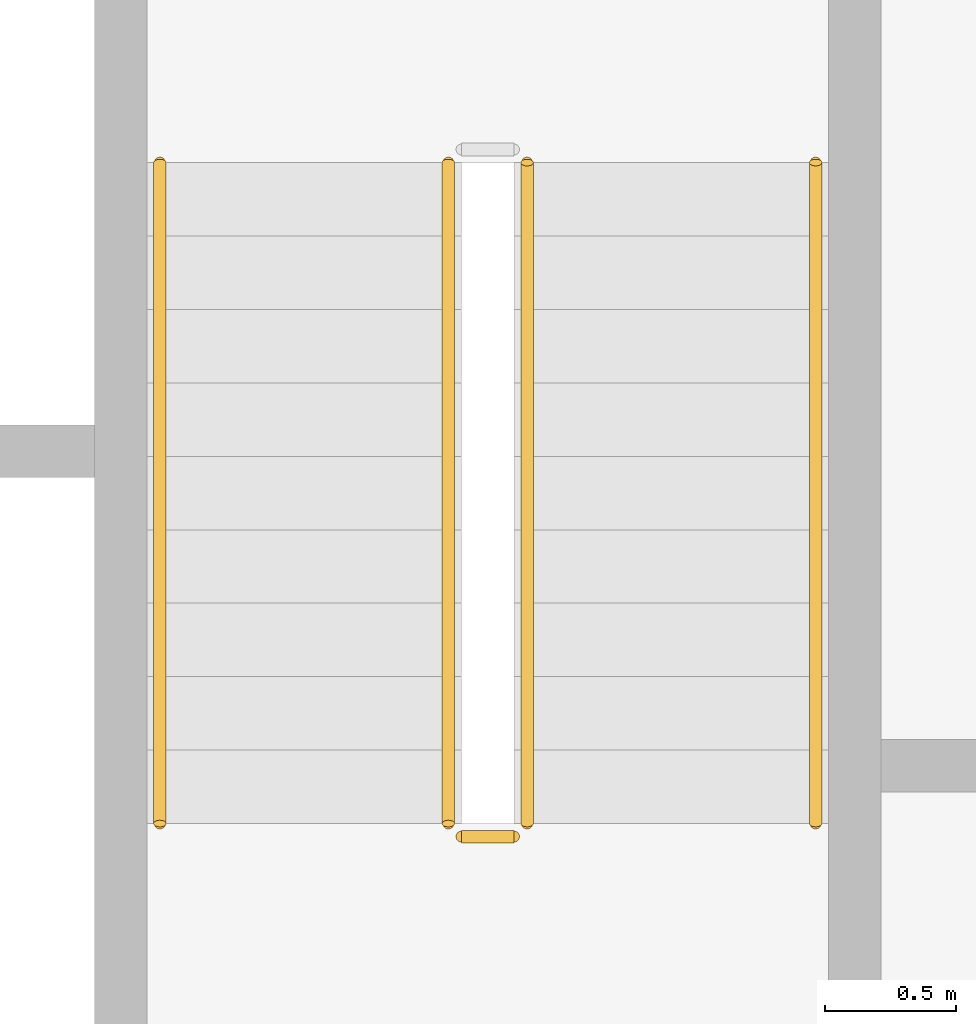
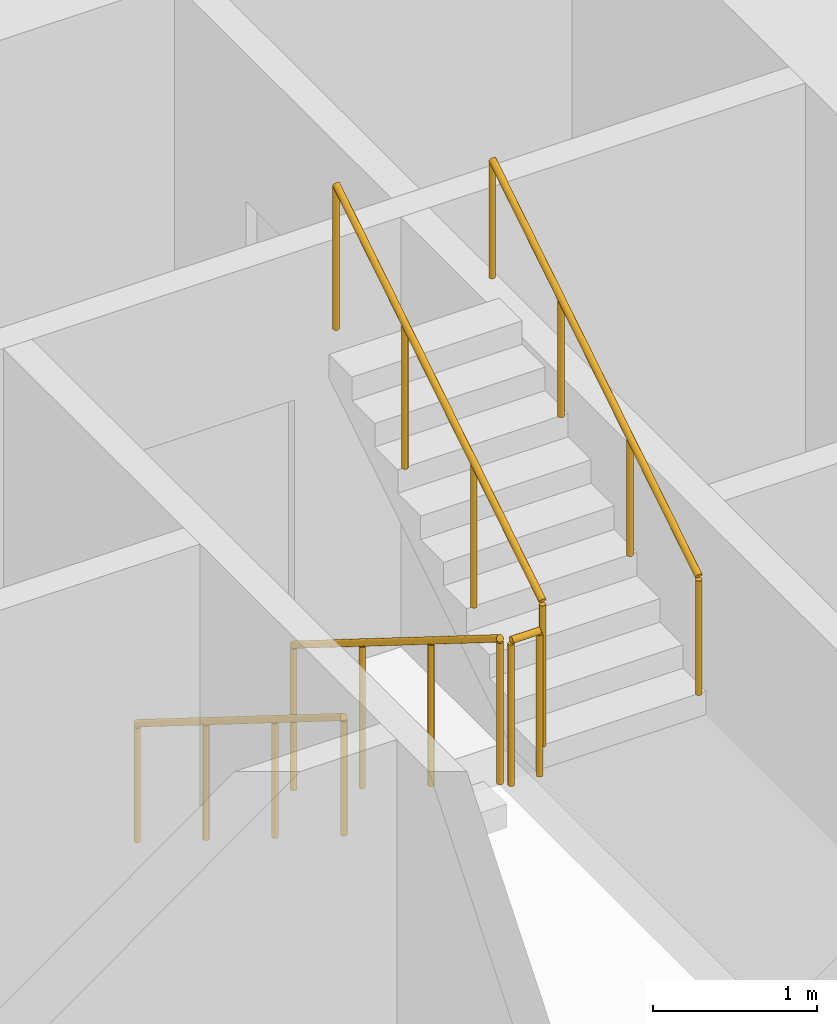
# One storey, part 19 of 22: 5 railings.
"""IFC4 building model written with IfcOpenShell, lengths in metres."""

from ifc_helpers import new_model, si_unit, direction, frame, origin, origin_2d, place, context, subcontext, project, spatial, circle, extrude, material, type_object, element, save


model = new_model("IFC4")

# Units and contexts
model_context = context("Model", 3, precision=1e-05, world=origin(), true_north=direction((0.0, 1.0)))
body_context = subcontext(model_context, "Body", "Model", "MODEL_VIEW")
ifc_project = project(units=[si_unit("LENGTHUNIT", "METRE"), si_unit("AREAUNIT", "SQUARE_METRE"), si_unit("VOLUMEUNIT", "CUBIC_METRE"), si_unit("PLANEANGLEUNIT", "RADIAN"), si_unit("MASSUNIT", "GRAM", prefix="KILO")], contexts=[model_context])

# Site, building, storey
site_placement = place(None, origin())
site = spatial("IfcSite", under=ifc_project, at=site_placement, CompositionType="ELEMENT")
building_placement = place(site_placement, origin())
building = spatial("IfcBuilding", under=site, at=building_placement, Name="Kiln Ring Residences", CompositionType="ELEMENT")
storey_placement = place(building_placement, frame((0.0, 0.0, 164.10009765625)))
storey = spatial("IfcBuildingStorey", under=building, at=storey_placement, Name="L42", CompositionType="ELEMENT", Elevation=164.10009765625)

# Railings
ifc_material_1 = material(Name="Stainless steel", Category="steel")
railing_type_1 = type_object("IfcRailingType", Name="CORE-STAIR-GUARD", PredefinedType="GUARDRAIL", material=ifc_material_1)
railing_1_placement = place(storey_placement, frame((21.949951171875, 8.39990234375, 0.1748046875)))
element("IfcRailing", 1, at=railing_1_placement, inside=storey, type_object=railing_type_1, Name="L42 E-STN stair guard 1", PredefinedType="GUARDRAIL", context=body_context, shape_type="SweptSolid", body=[
    extrude(circle(Radius=0.02392578125, at=origin_2d()), frame((0.0, 0.0, 1.076171875), z_axis=(0.0, -0.847970611238, 0.530043245855), x_axis=(1.0, 0.0, 0.0)), (0.0, 0.0, 1.0), 2.971923828125),
    extrude(circle(Radius=0.02099609375, at=origin_2d()), origin(), (0.0, 0.0, 1.0), 1.052001953125),
    extrude(circle(Radius=0.02099609375, at=origin_2d()), frame((0.0, -0.840087890625, 0.525146484375)), (0.0, 0.0, 1.0), 1.052001953125),
    extrude(circle(Radius=0.02099609375, at=origin_2d()), frame((0.0, -1.679931640625, 1.050048828125)), (0.0, 0.0, 1.0), 1.052001953125),
    extrude(circle(Radius=0.02099609375, at=origin_2d()), frame((0.0, -2.52001953125, 1.5751953125)), (0.0, 0.0, 1.0), 1.052001953125),
])
railing_2_placement = place(storey_placement, frame((22.0, 5.830078125, 1.75)))
element("IfcRailing", 2, at=railing_2_placement, inside=storey, type_object=railing_type_1, Name="L42 E-STN stair guard 2", PredefinedType="GUARDRAIL", context=body_context, shape_type="SweptSolid", body=[
    extrude(circle(Radius=0.02392578125, at=origin_2d()), frame((0.0, 0.0, 1.076171875), z_axis=(1.0, 0.0, 0.0), x_axis=(0.0, 1.0, 0.0)), (0.0, 0.0, 1.0), 0.199951171875),
    extrude(circle(Radius=0.02099609375, at=origin_2d()), origin(), (0.0, 0.0, 1.0), 1.052001953125),
    extrude(circle(Radius=0.02099609375, at=origin_2d()), frame((0.199951171875, 0.0, 0.0)), (0.0, 0.0, 1.0), 1.052001953125),
])
railing_3_placement = place(storey_placement, frame((22.25, 5.8798828125, 1.9248046875)))
element("IfcRailing", 3, at=railing_3_placement, inside=storey, type_object=railing_type_1, Name="L42 E-STN stair guard 3", PredefinedType="GUARDRAIL", context=body_context, shape_type="SweptSolid", body=[
    extrude(circle(Radius=0.02392578125, at=origin_2d()), frame((0.0, 0.0, 1.076171875), z_axis=(0.0, 0.847970611238, 0.530043245855), x_axis=(-1.0, 0.0, 0.0)), (0.0, 0.0, 1.0), 2.971923828125),
    extrude(circle(Radius=0.02099609375, at=origin_2d()), origin(), (0.0, 0.0, 1.0), 1.052001953125),
    extrude(circle(Radius=0.02099609375, at=origin_2d()), frame((0.0, 0.840087890625, 0.525146484375)), (0.0, 0.0, 1.0), 1.052001953125),
    extrude(circle(Radius=0.02099609375, at=origin_2d()), frame((0.0, 1.679931640625, 1.050048828125)), (0.0, 0.0, 1.0), 1.052001953125),
    extrude(circle(Radius=0.02099609375, at=origin_2d()), frame((0.0, 2.52001953125, 1.5751953125)), (0.0, 0.0, 1.0), 1.052001953125),
])
ifc_material_2 = material(Name="Stainless steel", Category="steel")
railing_type_2 = type_object("IfcRailingType", Name="CORE-STAIR-HANDRAIL", PredefinedType="HANDRAIL", material=ifc_material_2)
railing_4_placement = place(storey_placement, frame((20.85009765625, 8.39990234375, 0.1748046875)))
element("IfcRailing", 4, at=railing_4_placement, inside=storey, type_object=railing_type_2, Name="L42 E-STN stair handrail 1", PredefinedType="HANDRAIL", context=body_context, shape_type="SweptSolid", body=[
    extrude(circle(Radius=0.02392578125, at=origin_2d()), frame((0.0, 0.0, 0.8759765625), z_axis=(0.0, -0.847970611238, 0.530043245855), x_axis=(1.0, 0.0, 0.0)), (0.0, 0.0, 1.0), 2.971923828125),
    extrude(circle(Radius=0.02099609375, at=origin_2d()), origin(), (0.0, 0.0, 1.0), 0.851806640625),
    extrude(circle(Radius=0.02099609375, at=origin_2d()), frame((0.0, -0.840087890625, 0.525146484375)), (0.0, 0.0, 1.0), 0.851806640625),
    extrude(circle(Radius=0.02099609375, at=origin_2d()), frame((0.0, -1.679931640625, 1.050048828125)), (0.0, 0.0, 1.0), 0.851806640625),
    extrude(circle(Radius=0.02099609375, at=origin_2d()), frame((0.0, -2.52001953125, 1.5751953125)), (0.0, 0.0, 1.0), 0.851806640625),
])
railing_5_placement = place(storey_placement, frame((23.35009765625, 5.8798828125, 1.9248046875)))
element("IfcRailing", 5, at=railing_5_placement, inside=storey, type_object=railing_type_2, Name="L42 E-STN stair handrail 2", PredefinedType="HANDRAIL", context=body_context, shape_type="SweptSolid", body=[
    extrude(circle(Radius=0.02392578125, at=origin_2d()), frame((0.0, 0.0, 0.8759765625), z_axis=(0.0, 0.847970611238, 0.530043245855), x_axis=(-1.0, 0.0, 0.0)), (0.0, 0.0, 1.0), 2.971923828125),
    extrude(circle(Radius=0.02099609375, at=origin_2d()), origin(), (0.0, 0.0, 1.0), 0.851806640625),
    extrude(circle(Radius=0.02099609375, at=origin_2d()), frame((0.0, 0.840087890625, 0.525146484375)), (0.0, 0.0, 1.0), 0.851806640625),
    extrude(circle(Radius=0.02099609375, at=origin_2d()), frame((0.0, 1.679931640625, 1.050048828125)), (0.0, 0.0, 1.0), 0.851806640625),
    extrude(circle(Radius=0.02099609375, at=origin_2d()), frame((0.0, 2.52001953125, 1.5751953125)), (0.0, 0.0, 1.0), 0.851806640625),
])

save(model, "model.ifc")
